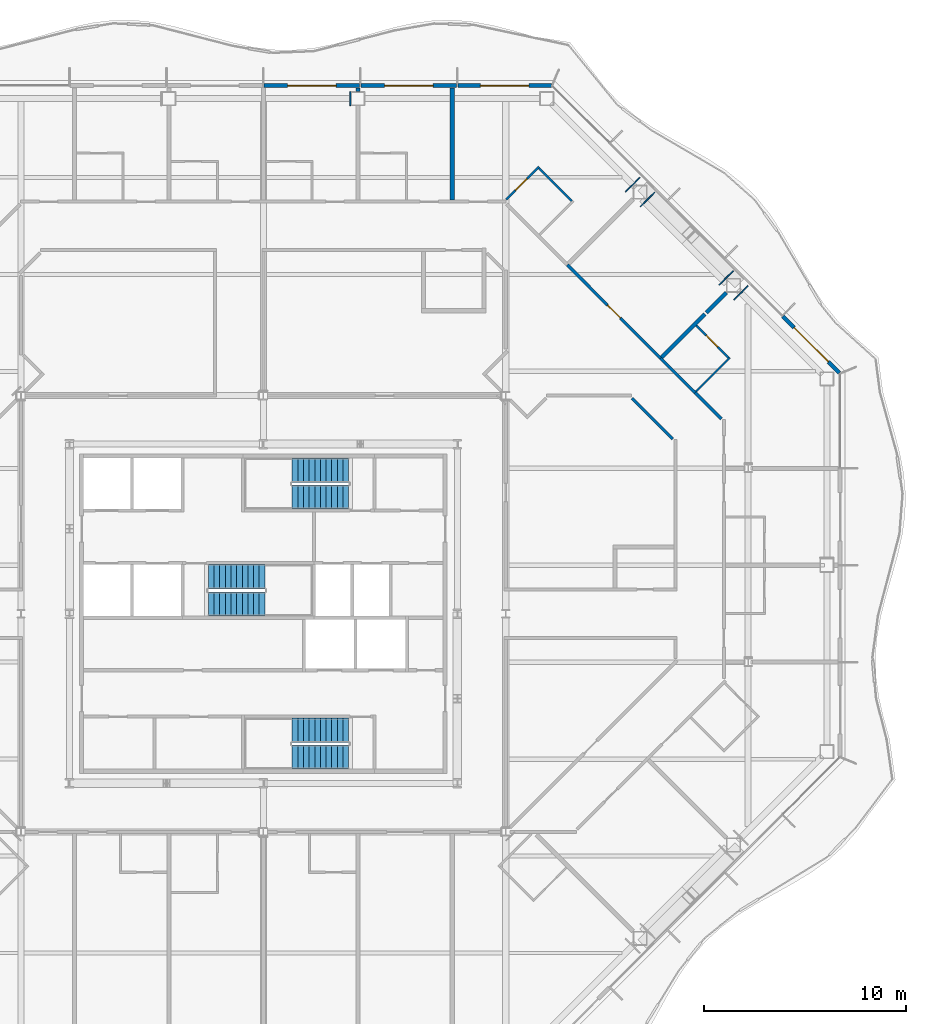
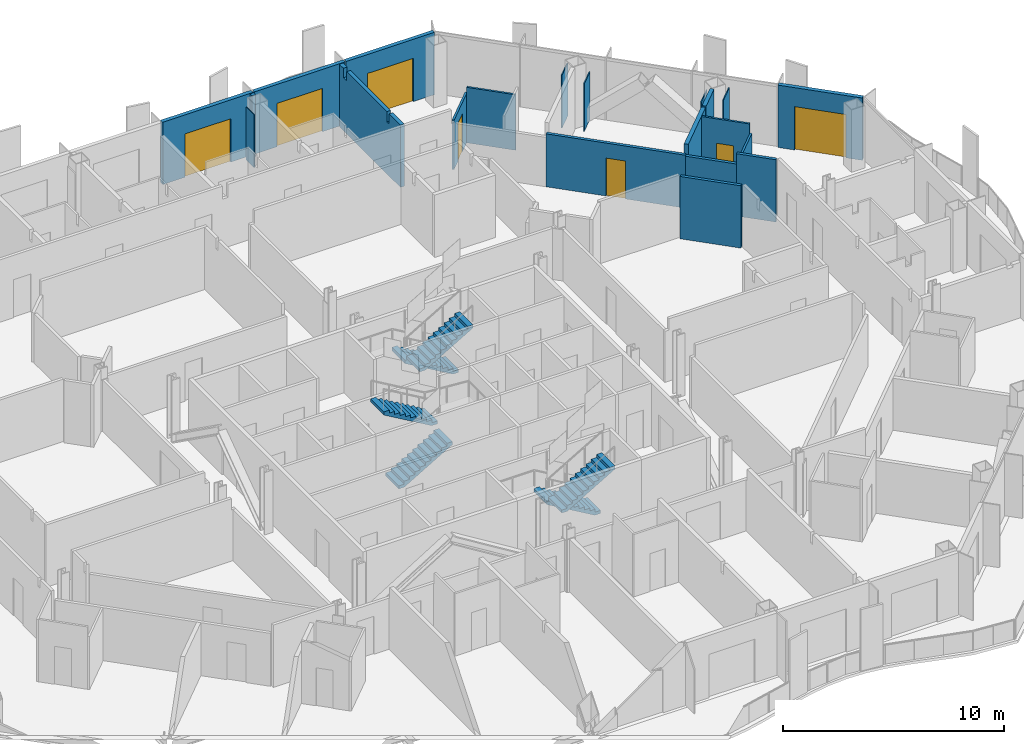
# One storey, part 14 of 21: 21 walls, 7 doors, 6 stair flights, 7 openings, 3 elements without a shape of their own.
"""IFC4 building model written with IfcOpenShell, lengths in metres."""

from ifc_helpers import new_model, si_unit, direction, frame, frame_2d, origin, place, context, subcontext, project, spatial, polyline, rectangle, outline, extrude, material, layer, layer_set, type_object, element, fill, aggregate, save


model = new_model("IFC4")

# Units and contexts
model_context = context("Model", 3, precision=1e-05, world=origin(), true_north=direction((0.0, 1.0)))
body_context = subcontext(model_context, "Body", "Model", "MODEL_VIEW")
ifc_project = project(units=[si_unit("LENGTHUNIT", "METRE"), si_unit("AREAUNIT", "SQUARE_METRE"), si_unit("VOLUMEUNIT", "CUBIC_METRE"), si_unit("PLANEANGLEUNIT", "RADIAN"), si_unit("MASSUNIT", "GRAM", prefix="KILO")], contexts=[model_context])

# Site, building, storey
site_placement = place(None, origin())
site = spatial("IfcSite", under=ifc_project, at=site_placement, CompositionType="ELEMENT")
building_placement = place(site_placement, origin())
building = spatial("IfcBuilding", under=site, at=building_placement, Name="Cairn Pilgrim Tower", CompositionType="ELEMENT")
storey_placement = place(building_placement, frame((0.0, 0.0, 143.39990234375)))
storey = spatial("IfcBuildingStorey", under=building, at=storey_placement, Name="L35", CompositionType="ELEMENT", Elevation=143.39990234375)

# Wall, opening, door
ifc_material_1 = material(Name="Bronze anodised aluminium insulated sandwich panel with mineral wool fill", Category="aluminium")
ifc_layer_1 = layer(ifc_material_1, 0.199951171875)
ifc_layer_set_1 = layer_set([ifc_layer_1], Name="BRONZE INFILL FRAME WALL 200")
wall_type_1 = type_object("IfcWallType", Name="BRONZE INFILL FRAME WALL 200", PredefinedType="NOTDEFINED", material=ifc_layer_set_1)
wall_1_placement = place(storey_placement, frame((35.7216796875, 14.32470703125, 0.0), z_axis=(0.0, 0.0, 1.0), x_axis=(-0.707106781187, 0.707106781187, 0.0)))
wall_1 = element("IfcWall", 1, at=wall_1_placement, inside=storey, type_object=wall_type_1, Name="Bronze infill frame wall IW-NE1", PredefinedType="NOTDEFINED", context=body_context, shape_type="SweptSolid", body=[
    extrude(rectangle(XDim=3.961669921875, YDim=0.199951171875, at=frame_2d((1.98095703125, 0.0))), origin(), (0.0, 0.0, 1.0), 3.4501953125),
])
opening_1_placement = place(wall_1_placement, frame((0.775390625, 0.0, 0.0)))
opening_1 = element("IfcOpeningElement", 2, at=opening_1_placement, cuts=wall_1, Name="Opening 3508B", PredefinedType="OPENING", context=body_context, shape_type="SweptSolid", body=[
    extrude(rectangle(XDim=2.39990234375, YDim=2.39990234375, at=frame_2d((1.199951171875, 1.199951171875))), frame((0.0, 0.10986328125, 0.0), z_axis=(0.0, -1.0, 0.0), x_axis=(1.0, 0.0, 0.0)), (0.0, 0.0, 1.0), 0.219970703125),
])
ifc_material_2 = material(Name="Bronze anodised aluminium frame with tinted low-E glass", Category="aluminium")
door_type_1 = type_object("IfcDoorType", Name="BALCONY SLIDING DOOR 2400x2400", OperationType="DOUBLE_DOOR_SLIDING", PredefinedType="DOOR", material=ifc_material_2)
door_1_placement = place(opening_1_placement, origin())
door_1 = element("IfcDoor", 3, at=door_1_placement, inside=storey, type_object=door_type_1, Name="Balcony sliding door 3508B", OperationType="SINGLE_SWING_LEFT", OverallHeight=2.39990234375, OverallWidth=2.39990234375, PredefinedType="DOOR", context=body_context, shape_type="SweptSolid", body=[
    extrude(rectangle(XDim=2.39990234375, YDim=2.39990234375, at=frame_2d((1.199951171875, 1.199951171875))), frame((0.0, 0.02490234375, 0.0), z_axis=(0.0, -1.0, 0.0), x_axis=(1.0, 0.0, 0.0)), (0.0, 0.0, 1.0), 0.050048828125),
])
fill(opening_1, door_1)

wall_2_placement = place(storey_placement, frame((21.45654296875, 28.550048828125, 0.0), z_axis=(0.0, 0.0, 1.0), x_axis=(-1.0, 0.0, 0.0)))
wall_2 = element("IfcWall", 4, at=wall_2_placement, inside=storey, type_object=wall_type_1, Name="Bronze infill frame wall IW-N1", PredefinedType="NOTDEFINED", context=body_context, shape_type="SweptSolid", body=[
    extrude(rectangle(XDim=4.62646484375, YDim=0.199951171875, at=frame_2d((2.313232421875, 0.0))), origin(), (0.0, 0.0, 1.0), 3.4501953125),
])
opening_2_placement = place(wall_2_placement, frame((1.1083984375, 0.0, 0.0)))
opening_2 = element("IfcOpeningElement", 5, at=opening_2_placement, cuts=wall_2, Name="Opening 3510B", PredefinedType="OPENING", context=body_context, shape_type="SweptSolid", body=[
    extrude(rectangle(XDim=2.39990234375, YDim=2.39990234375, at=frame_2d((1.199951171875, 1.199951171875))), frame((0.0, 0.10986328125, 0.0), z_axis=(0.0, -1.0, 0.0), x_axis=(1.0, 0.0, 0.0)), (0.0, 0.0, 1.0), 0.219970703125),
])
door_2_placement = place(opening_2_placement, origin())
door_2 = element("IfcDoor", 6, at=door_2_placement, inside=storey, type_object=door_type_1, Name="Balcony sliding door 3510B", OperationType="SINGLE_SWING_LEFT", OverallHeight=2.39990234375, OverallWidth=2.39990234375, PredefinedType="DOOR", context=body_context, shape_type="SweptSolid", body=[
    extrude(rectangle(XDim=2.39990234375, YDim=2.39990234375, at=frame_2d((1.199951171875, 1.199951171875))), frame((0.0, 0.02490234375, 0.0), z_axis=(0.0, -1.0, 0.0), x_axis=(1.0, 0.0, 0.0)), (0.0, 0.0, 1.0), 0.050048828125),
])
fill(opening_2, door_2)

wall_3_placement = place(storey_placement, frame((16.77001953125, 28.550048828125, 0.0), z_axis=(0.0, 0.0, 1.0), x_axis=(-1.0, 0.0, 0.0)))
wall_3 = element("IfcWall", 7, at=wall_3_placement, inside=storey, type_object=wall_type_1, Name="Bronze infill frame wall IW-N2", PredefinedType="NOTDEFINED", context=body_context, shape_type="SweptSolid", body=[
    extrude(rectangle(XDim=4.739990234375, YDim=0.199951171875, at=frame_2d((2.3701171875, 0.0))), origin(), (0.0, 0.0, 1.0), 3.4501953125),
])
opening_3_placement = place(wall_3_placement, frame((1.17041015625, 0.0, 0.0)))
opening_3 = element("IfcOpeningElement", 8, at=opening_3_placement, cuts=wall_3, Name="Opening 3511B", PredefinedType="OPENING", context=body_context, shape_type="SweptSolid", body=[
    extrude(rectangle(XDim=2.39990234375, YDim=2.39990234375, at=frame_2d((1.199951171875, 1.199951171875))), frame((0.0, 0.10986328125, 0.0), z_axis=(0.0, -1.0, 0.0), x_axis=(1.0, 0.0, 0.0)), (0.0, 0.0, 1.0), 0.219970703125),
])
door_3_placement = place(opening_3_placement, origin())
door_3 = element("IfcDoor", 9, at=door_3_placement, inside=storey, type_object=door_type_1, Name="Balcony sliding door 3511B", OperationType="SINGLE_SWING_LEFT", OverallHeight=2.39990234375, OverallWidth=2.39990234375, PredefinedType="DOOR", context=body_context, shape_type="SweptSolid", body=[
    extrude(rectangle(XDim=2.39990234375, YDim=2.39990234375, at=frame_2d((1.199951171875, 1.199951171875))), frame((0.0, 0.02490234375, 0.0), z_axis=(0.0, -1.0, 0.0), x_axis=(1.0, 0.0, 0.0)), (0.0, 0.0, 1.0), 0.050048828125),
])
fill(opening_3, door_3)

wall_4_placement = place(storey_placement, frame((11.969970703125, 28.550048828125, 0.0), z_axis=(0.0, 0.0, 1.0), x_axis=(-1.0, 0.0, 0.0)))
wall_4 = element("IfcWall", 10, at=wall_4_placement, inside=storey, type_object=wall_type_1, Name="Bronze infill frame wall IW-N3", PredefinedType="NOTDEFINED", context=body_context, shape_type="SweptSolid", body=[
    extrude(rectangle(XDim=4.739990234375, YDim=0.199951171875, at=frame_2d((2.3701171875, 0.0))), origin(), (0.0, 0.0, 1.0), 3.4501953125),
])
opening_4_placement = place(wall_4_placement, frame((1.17041015625, 0.0, 0.0)))
opening_4 = element("IfcOpeningElement", 11, at=opening_4_placement, cuts=wall_4, Name="Opening 3512B", PredefinedType="OPENING", context=body_context, shape_type="SweptSolid", body=[
    extrude(rectangle(XDim=2.39990234375, YDim=2.39990234375, at=frame_2d((1.199951171875, 1.199951171875))), frame((0.0, 0.10986328125, 0.0), z_axis=(0.0, -1.0, 0.0), x_axis=(1.0, 0.0, 0.0)), (0.0, 0.0, 1.0), 0.219970703125),
])
door_4_placement = place(opening_4_placement, origin())
door_4 = element("IfcDoor", 12, at=door_4_placement, inside=storey, type_object=door_type_1, Name="Balcony sliding door 3512B", OperationType="SINGLE_SWING_LEFT", OverallHeight=2.39990234375, OverallWidth=2.39990234375, PredefinedType="DOOR", context=body_context, shape_type="SweptSolid", body=[
    extrude(rectangle(XDim=2.39990234375, YDim=2.39990234375, at=frame_2d((1.199951171875, 1.199951171875))), frame((0.0, 0.02490234375, 0.0), z_axis=(0.0, -1.0, 0.0), x_axis=(1.0, 0.0, 0.0)), (0.0, 0.0, 1.0), 0.050048828125),
])
fill(opening_4, door_4)

# Wall
ifc_material_3 = material(Name="Gypsum partition")
ifc_layer_2 = layer(ifc_material_3, 0.10009765625)
ifc_layer_set_2 = layer_set([ifc_layer_2], Name="PARTITION 100 DRYWALL")
wall_type_2 = type_object("IfcWallType", Name="PARTITION 100 DRYWALL", PredefinedType="PARTITIONING", material=ifc_layer_set_2)
wall_5_placement = place(storey_placement, frame((28.6201171875, 13.40087890625, 0.0), z_axis=(0.0, 0.0, 1.0), x_axis=(0.707055379538, 0.707158179099, 0.0)))
element("IfcWall", 13, at=wall_5_placement, inside=storey, type_object=wall_type_2, Name="PARTITION W086", PredefinedType="PARTITIONING", context=body_context, shape_type="SweptSolid", body=[
    extrude(rectangle(XDim=2.375, YDim=0.10009765625, at=frame_2d((1.1875, 0.0))), origin(), (0.0, 0.0, 1.0), 2.880126953125),
])

# Wall, opening, door
wall_6_placement = place(storey_placement, frame((30.228515625, 15.080322265625, 0.0), z_axis=(0.0, 0.0, 1.0), x_axis=(-0.707052524, 0.70716103421, 0.0)))
wall_6 = element("IfcWall", 14, at=wall_6_placement, inside=storey, type_object=wall_type_2, Name="PARTITION W091", PredefinedType="PARTITIONING", context=body_context, shape_type="SweptSolid", body=[
    extrude(rectangle(XDim=2.25, YDim=0.10009765625, at=frame_2d((1.125, 0.0))), origin(), (0.0, 0.0, 1.0), 3.4501953125),
])
opening_5_placement = place(wall_6_placement, frame((0.75, 0.0, 0.0)))
opening_5 = element("IfcOpeningElement", 15, at=opening_5_placement, cuts=wall_6, Name="Opening 3508A", PredefinedType="OPENING", context=body_context, shape_type="SweptSolid", body=[
    extrude(rectangle(XDim=0.800048828125, YDim=2.10009765625, at=frame_2d((0.39990234375, 1.050048828125))), frame((0.0, 0.06005859375, 0.0), z_axis=(0.0, -1.0, 0.0), x_axis=(1.0, 0.0, 0.0)), (0.0, 0.0, 1.0), 0.1201171875),
])
ifc_material_4 = material(Name="Timber door leaf", Category="wood")
door_type_2 = type_object("IfcDoorType", Name="WC DOOR 800x2100", OperationType="NOTDEFINED", PredefinedType="DOOR", material=ifc_material_4)
door_5_placement = place(opening_5_placement, frame((0.800048828125, 0.0, 0.0), z_axis=(0.0, 0.0, 1.0), x_axis=(-1.0, 0.0, 0.0)))
door_5 = element("IfcDoor", 16, at=door_5_placement, inside=storey, type_object=door_type_2, Name="DOOR 3508A", OperationType="SINGLE_SWING_LEFT", OverallHeight=2.10009765625, OverallWidth=0.800048828125, PredefinedType="DOOR", context=body_context, shape_type="SweptSolid", body=[
    extrude(rectangle(XDim=0.800048828125, YDim=2.10009765625, at=frame_2d((0.39990234375, 1.050048828125))), frame((0.0, 0.02490234375, 0.0), z_axis=(0.0, -1.0, 0.0), x_axis=(1.0, 0.0, 0.0)), (0.0, 0.0, 1.0), 0.050048828125),
])
fill(opening_5, door_5)

# Wall
wall_7_placement = place(storey_placement, frame((22.4736328125, 22.83544921875, 0.0), z_axis=(0.0, 0.0, 1.0), x_axis=(-0.707106781187, 0.707106781187, 0.0)))
element("IfcWall", 17, at=wall_7_placement, inside=storey, type_object=wall_type_2, Name="PARTITION W115", PredefinedType="PARTITIONING", context=body_context, shape_type="SweptSolid", body=[
    extrude(rectangle(XDim=2.2998046875, YDim=0.10009765625, at=frame_2d((1.14990234375, 0.0))), origin(), (0.0, 0.0, 1.0), 3.070068359375),
])

# Wall, opening, door
wall_8_placement = place(storey_placement, frame((19.225341796875, 22.910400390625, 0.0), z_axis=(0.0, 0.0, 1.0), x_axis=(0.707106781187, 0.707106781187, 0.0)))
wall_8 = element("IfcWall", 18, at=wall_8_placement, inside=storey, type_object=wall_type_2, Name="PARTITION W125", PredefinedType="PARTITIONING", context=body_context, shape_type="SweptSolid", body=[
    extrude(rectangle(XDim=2.2939453125, YDim=0.10009765625, at=frame_2d((1.14697265625, 0.0))), origin(), (0.0, 0.0, 1.0), 2.72998046875),
])
opening_6_placement = place(wall_8_placement, frame((0.643798828125, 0.0, 0.0)))
opening_6 = element("IfcOpeningElement", 19, at=opening_6_placement, cuts=wall_8, Name="Opening 3510A", PredefinedType="OPENING", context=body_context, shape_type="SweptSolid", body=[
    extrude(rectangle(XDim=0.800048828125, YDim=2.10009765625, at=frame_2d((0.39990234375, 1.050048828125))), frame((0.0, 0.06005859375, 0.0), z_axis=(0.0, -1.0, 0.0), x_axis=(1.0, 0.0, 0.0)), (0.0, 0.0, 1.0), 0.1201171875),
])
door_6_placement = place(opening_6_placement, origin())
door_6 = element("IfcDoor", 20, at=door_6_placement, inside=storey, type_object=door_type_2, Name="DOOR 3510A", OperationType="SINGLE_SWING_RIGHT", OverallHeight=2.10009765625, OverallWidth=0.800048828125, PredefinedType="DOOR", context=body_context, shape_type="SweptSolid", body=[
    extrude(rectangle(XDim=0.800048828125, YDim=2.10009765625, at=frame_2d((0.39990234375, 1.050048828125))), frame((0.0, 0.02490234375, 0.0), z_axis=(0.0, -1.0, 0.0), x_axis=(1.0, 0.0, 0.0)), (0.0, 0.0, 1.0), 0.050048828125),
])
fill(opening_6, door_6)

# Walls
ifc_layer_3 = layer(ifc_material_3, 0.14990234375)
ifc_layer_set_3 = layer_set([ifc_layer_3], Name="PARTITION 150 DRYWALL EI 60")
wall_type_3 = type_object("IfcWallType", Name="PARTITION 150 DRYWALL EI 60", PredefinedType="PARTITIONING", material=ifc_layer_set_3)
wall_9_placement = place(storey_placement, frame((27.471923828125, 11.049072265625, 0.0), z_axis=(0.0, 0.0, 1.0), x_axis=(-0.707106781187, 0.707106781187, 0.0)))
element("IfcWall", 21, at=wall_9_placement, inside=storey, type_object=wall_type_3, Name="PARTITION W070", PredefinedType="PARTITIONING", context=body_context, shape_type="SweptSolid", body=[
    extrude(rectangle(XDim=2.86083984375, YDim=0.14990234375, at=frame_2d((1.430419921875, 0.0))), origin(), (0.0, 0.0, 1.0), 3.4501953125),
])
wall_10_placement = place(storey_placement, frame((29.8720703125, 12.04296875, 0.0), z_axis=(0.0, 0.0, 1.0), x_axis=(-0.707172918471, 0.707040637716, 0.0)))
element("IfcWall", 22, at=wall_10_placement, inside=storey, type_object=wall_type_3, Name="PARTITION W072", PredefinedType="PARTITIONING", context=body_context, shape_type="SweptSolid", body=[
    extrude(rectangle(XDim=1.845703125, YDim=0.14990234375, at=frame_2d((0.9228515625, 0.0))), origin(), (0.0, 0.0, 1.0), 3.4501953125),
])
wall_11_placement = place(storey_placement, frame((28.56689453125, 13.347900390625, 0.0), z_axis=(0.0, 0.0, 1.0), x_axis=(-0.707310148094, 0.706903355773, 0.0)))
element("IfcWall", 23, at=wall_11_placement, inside=storey, type_object=wall_type_3, Name="PARTITION W082", PredefinedType="PARTITIONING", context=body_context, shape_type="SweptSolid", body=[
    extrude(rectangle(XDim=2.400634765625, YDim=0.14990234375, at=frame_2d((1.2001953125, 0.0))), origin(), (0.0, 0.0, 1.0), 2.880126953125),
])

# Wall, opening, door
wall_12_placement = place(storey_placement, frame((26.868896484375, 15.044921875, 0.0), z_axis=(0.0, 0.0, 1.0), x_axis=(-0.707013447311, 0.707200102744, 0.0)))
wall_12 = element("IfcWall", 24, at=wall_12_placement, inside=storey, type_object=wall_type_3, Name="PARTITION W089", PredefinedType="PARTITIONING", context=body_context, shape_type="SweptSolid", body=[
    extrude(rectangle(XDim=6.539794921875, YDim=0.14990234375, at=frame_2d((3.27001953125, 0.0))), origin(), (0.0, 0.0, 1.0), 2.93017578125),
])
opening_7_placement = place(wall_12_placement, frame((2.820068359375, 0.0, 0.0)))
opening_7 = element("IfcOpeningElement", 25, at=opening_7_placement, cuts=wall_12, Name="Opening 3509", PredefinedType="OPENING", context=body_context, shape_type="SweptSolid", body=[
    extrude(rectangle(XDim=0.89990234375, YDim=2.10009765625, at=frame_2d((0.449951171875, 1.050048828125))), frame((0.0, 0.0849609375, 0.0), z_axis=(0.0, -1.0, 0.0), x_axis=(1.0, 0.0, 0.0)), (0.0, 0.0, 1.0), 0.169921875),
])
door_type_3 = type_object("IfcDoorType", Name="SERVICE DOOR 900x2100 FD30S", OperationType="NOTDEFINED", PredefinedType="DOOR", material=ifc_material_4)
door_7_placement = place(opening_7_placement, frame((0.89990234375, 0.0, 0.0), z_axis=(0.0, 0.0, 1.0), x_axis=(-1.0, 0.0, 0.0)))
door_7 = element("IfcDoor", 26, at=door_7_placement, inside=storey, type_object=door_type_3, Name="DOOR 3509", OperationType="SINGLE_SWING_LEFT", OverallHeight=2.10009765625, OverallWidth=0.89990234375, PredefinedType="DOOR", context=body_context, shape_type="SweptSolid", body=[
    extrude(rectangle(XDim=0.89990234375, YDim=2.10009765625, at=frame_2d((0.449951171875, 1.050048828125))), frame((0.0, 0.02490234375, 0.0), z_axis=(0.0, -1.0, 0.0), x_axis=(1.0, 0.0, 0.0)), (0.0, 0.0, 1.0), 0.050048828125),
])
fill(opening_7, door_7)

# Walls
ifc_layer_4 = layer(ifc_material_3, 0.050048828125)
ifc_layer_set_4 = layer_set([ifc_layer_4], Name="PARTITION 50 DRYWALL EI 60")
wall_type_4 = type_object("IfcWallType", Name="PARTITION 50 DRYWALL EI 60", PredefinedType="PARTITIONING", material=ifc_layer_set_4)
wall_13_placement = place(storey_placement, frame((29.758056640625, 18.6689453125, 0.0), z_axis=(0.0, 0.0, 1.0), x_axis=(0.706983473703, 0.707230067171, 0.0)))
element("IfcWall", 27, at=wall_13_placement, inside=storey, type_object=wall_type_4, Name="COLUMN CASING WC31", PredefinedType="PARTITIONING", context=body_context, shape_type="SweptSolid", body=[
    extrude(rectangle(XDim=0.989990234375, YDim=0.050048828125, at=frame_2d((0.4951171875, 0.0))), origin(), (0.0, 0.0, 1.0), 2.630126953125),
])
for number, where, z_axis, x_axis, name in (
    (28, (30.493408203125, 17.933837890625, 0.0), (0.0, 0.0, 1.0), (0.706983473703, 0.707230067171, 0.0), "COLUMN CASING WC32"),
    (29, (25.1337890625, 23.29345703125, 0.0), (0.0, 0.0, 1.0), (0.707230067171, 0.706983473703, 0.0), "COLUMN CASING WC33"),
):
    element("IfcWall", number, at=place(storey_placement, frame(where, z_axis=z_axis, x_axis=x_axis)), inside=storey, type_object=wall_type_4, Name=name, PredefinedType="PARTITIONING", context=body_context, shape_type="SweptSolid", body=[
        extrude(rectangle(XDim=0.989990234375, YDim=0.050048828125, at=frame_2d((0.4951171875, 0.0))), origin(), (0.0, 0.0, 1.0), 2.93017578125),
    ])
wall_14_placement = place(storey_placement, frame((25.869140625, 22.55810546875, 0.0), z_axis=(0.0, 0.0, 1.0), x_axis=(0.707230110177, 0.706983430682, 0.0)))
element("IfcWall", 30, at=wall_14_placement, inside=storey, type_object=wall_type_4, Name="COLUMN CASING WC34", PredefinedType="PARTITIONING", context=body_context, shape_type="SweptSolid", body=[
    extrude(rectangle(XDim=0.98974609375, YDim=0.050048828125, at=frame_2d((0.494873046875, 0.0))), origin(), (0.0, 0.0, 1.0), 2.630126953125),
])
wall_15_placement = place(storey_placement, frame((11.500732421875, 27.550048828125, 0.0), z_axis=(0.0, 0.0, 1.0), x_axis=(0.0, 1.0, 0.0)))
element("IfcWall", 31, at=wall_15_placement, inside=storey, type_object=wall_type_4, Name="COLUMN CASING WC38", PredefinedType="PARTITIONING", context=body_context, shape_type="SweptSolid", body=[
    extrude(rectangle(XDim=0.699951171875, YDim=0.050048828125, at=frame_2d((0.35009765625, 0.0))), origin(), (0.0, 0.0, 1.0), 2.93017578125),
])
ifc_layer_5 = layer(ifc_material_3, 0.199951171875)
ifc_layer_set_5 = layer_set([ifc_layer_5], Name="SHAFT WALL 200 GYPSUM EI 60")
wall_type_5 = type_object("IfcWallType", Name="SHAFT WALL 200 GYPSUM EI 60", PredefinedType="PARTITIONING", material=ifc_layer_set_5)
wall_16_placement = place(storey_placement, frame((26.922119140625, 15.097900390625, 0.0), z_axis=(0.0, 0.0, 1.0), x_axis=(0.707268147401, 0.706945378138, 0.0)))
element("IfcWall", 32, at=wall_16_placement, inside=storey, type_object=wall_type_5, Name="PARTITION W090", PredefinedType="PARTITIONING", context=body_context, shape_type="SweptSolid", body=[
    extrude(rectangle(XDim=3.025634765625, YDim=0.199951171875, at=frame_2d((1.5126953125, 0.0))), origin(), (0.0, 0.0, 1.0), 3.4501953125),
])
wall_17_placement = place(storey_placement, frame((29.132568359375, 17.307861328125, 0.0), z_axis=(0.0, 0.0, 1.0), x_axis=(0.70693298083, 0.707280538835, 0.0)))
element("IfcWall", 33, at=wall_17_placement, inside=storey, type_object=wall_type_5, Name="PARTITION W096", PredefinedType="PARTITIONING", context=body_context, shape_type="SweptSolid", body=[
    extrude(rectangle(XDim=1.40478515625, YDim=0.199951171875, at=frame_2d((0.702392578125, 0.0))), origin(), (0.0, 0.0, 1.0), 3.4501953125),
])
wall_18_placement = place(storey_placement, frame((16.552001953125, 22.875, 0.0), z_axis=(0.0, 0.0, 1.0), x_axis=(0.0, 1.0, 0.0)))
element("IfcWall", 34, at=wall_18_placement, inside=storey, type_object=wall_type_5, Name="PARTITION W124", PredefinedType="PARTITIONING", context=body_context, shape_type="SweptSolid", body=[
    extrude(outline(polyline([(0.0, 0.0), (5.544921875, 0.0), (5.544921875, 3.4501953125), (5.175048828125, 3.4501953125), (5.173095703125, 2.93017578125), (4.875, 2.93017578125), (4.873046875, 3.4501953125), (1.22998046875, 3.4501953125), (1.22802734375, 2.880126953125), (1.02001953125, 2.880126953125), (1.01806640625, 3.4501953125), (0.0, 3.4501953125), (0.0, 0.0)])), frame((0.0, 0.10009765625, 0.0), z_axis=(0.0, -1.0, 0.0), x_axis=(1.0, 0.0, 0.0)), (0.0, 0.0, 1.0), 0.199951171875),
])
wall_19_placement = place(storey_placement, frame((11.8759765625, 28.25, 0.0), z_axis=(0.0, 0.0, 1.0), x_axis=(0.0, 1.0, 0.0)))
element("IfcWall", 35, at=wall_19_placement, inside=storey, type_object=wall_type_5, Name="PARTITION W131", PredefinedType="PARTITIONING", context=body_context, shape_type="SweptSolid", body=[
    extrude(rectangle(XDim=0.169921875, YDim=0.199951171875, at=frame_2d((0.0849609375, 0.0))), origin(), (0.0, 0.0, 1.0), 3.4501953125),
])

# Stair, stair flights
ifc_material_5 = material(Name="Concrete C32/40", Category="concrete")
stair_type = type_object("IfcStairType", Name="EXIT STAIR 1200", PredefinedType="HALF_TURN_STAIR", material=ifc_material_5)
stair_1_placement = place(storey_placement, origin())
stair_1 = element("IfcStair", 36, at=stair_1_placement, inside=storey, type_object=stair_type, Name="L35 Exit Stair A", PredefinedType="HALF_TURN_STAIR")
stair_flight_type = type_object("IfcStairFlightType", Name="STAIR FLIGHT 1200", PredefinedType="STRAIGHT", material=ifc_material_5)
stair_flight_1_placement = place(storey_placement, frame((11.425048828125, -3.375, 0.0), z_axis=(0.0, 0.0, 1.0), x_axis=(-1.0, 0.0, 0.0)))
stair_flight_1 = element("IfcStairFlight", 37, at=stair_flight_1_placement, type_object=stair_flight_type, Name="ST-A flight 1", NumberOfRisers=11, NumberOfTreads=10, PredefinedType="STRAIGHT", RiserHeight=0.163636364, TreadLength=0.28, context=body_context, shape_type="SweptSolid", body=[
    extrude(outline(polyline([(0.0, 0.0), (0.0, 0.16357421875), (0.280029296875, 0.16357421875), (0.280029296875, 0.327392578125), (0.56005859375, 0.327392578125), (0.56005859375, 0.490966796875), (0.840087890625, 0.490966796875), (0.840087890625, 0.654541015625), (1.1201171875, 0.654541015625), (1.1201171875, 0.818115234375), (1.39990234375, 0.818115234375), (1.39990234375, 0.98193359375), (1.679931640625, 0.98193359375), (1.679931640625, 1.1455078125), (1.9599609375, 1.1455078125), (1.9599609375, 1.30908203125), (2.239990234375, 1.30908203125), (2.239990234375, 1.47265625), (2.52001953125, 1.47265625), (2.52001953125, 1.636474609375), (2.800048828125, 1.636474609375), (2.800048828125, 1.800048828125), (2.800048828125, 1.462646484375), (0.297119140625, 0.0), (0.0, 0.0)])), frame((0.0, 0.60009765625, 0.0), z_axis=(0.0, -1.0, 0.0), x_axis=(1.0, 0.0, 0.0)), (0.0, 0.0, 1.0), 1.199951171875),
])
stair_flight_2_placement = place(storey_placement, frame((8.625, -4.699951171875, 1.800048828125), z_axis=(0.0, 0.0, 1.0), x_axis=(1.0, 0.0, 0.0)))
stair_flight_2 = element("IfcStairFlight", 38, at=stair_flight_2_placement, type_object=stair_flight_type, Name="ST-A flight 2", NumberOfRisers=11, NumberOfTreads=10, PredefinedType="STRAIGHT", RiserHeight=0.163636364, TreadLength=0.28, context=body_context, shape_type="SweptSolid", body=[
    extrude(outline(polyline([(0.0, 0.0), (0.0, 0.16357421875), (0.280029296875, 0.16357421875), (0.280029296875, 0.327392578125), (0.56005859375, 0.327392578125), (0.56005859375, 0.490966796875), (0.840087890625, 0.490966796875), (0.840087890625, 0.654541015625), (1.1201171875, 0.654541015625), (1.1201171875, 0.818115234375), (1.39990234375, 0.818115234375), (1.39990234375, 0.98193359375), (1.679931640625, 0.98193359375), (1.679931640625, 1.1455078125), (1.9599609375, 1.1455078125), (1.9599609375, 1.30908203125), (2.239990234375, 1.30908203125), (2.239990234375, 1.47265625), (2.52001953125, 1.47265625), (2.52001953125, 1.636474609375), (2.800048828125, 1.636474609375), (2.800048828125, 1.800048828125), (2.800048828125, 1.462646484375), (0.297119140625, 0.0), (0.0, 0.0)])), frame((0.0, 0.60009765625, 0.0), z_axis=(0.0, -1.0, 0.0), x_axis=(1.0, 0.0, 0.0)), (0.0, 0.0, 1.0), 1.199951171875),
])
aggregate(stair_1, [stair_flight_1, stair_flight_2])

stair_2_placement = place(storey_placement, origin())
stair_2 = element("IfcStair", 39, at=stair_2_placement, inside=storey, type_object=stair_type, Name="L35 Exit Stair B", PredefinedType="HALF_TURN_STAIR")
stair_flight_3_placement = place(storey_placement, frame((4.47509765625, 2.875, 0.0), z_axis=(0.0, 0.0, 1.0), x_axis=(1.0, 0.0, 0.0)))
stair_flight_3 = element("IfcStairFlight", 40, at=stair_flight_3_placement, type_object=stair_flight_type, Name="ST-B flight 1", NumberOfRisers=11, NumberOfTreads=10, PredefinedType="STRAIGHT", RiserHeight=0.163636364, TreadLength=0.28, context=body_context, shape_type="SweptSolid", body=[
    extrude(outline(polyline([(0.0, 0.0), (0.0, 0.16357421875), (0.280029296875, 0.16357421875), (0.280029296875, 0.327392578125), (0.56005859375, 0.327392578125), (0.56005859375, 0.490966796875), (0.840087890625, 0.490966796875), (0.840087890625, 0.654541015625), (1.1201171875, 0.654541015625), (1.1201171875, 0.818115234375), (1.39990234375, 0.818115234375), (1.39990234375, 0.98193359375), (1.679931640625, 0.98193359375), (1.679931640625, 1.1455078125), (1.9599609375, 1.1455078125), (1.9599609375, 1.30908203125), (2.239990234375, 1.30908203125), (2.239990234375, 1.47265625), (2.52001953125, 1.47265625), (2.52001953125, 1.636474609375), (2.800048828125, 1.636474609375), (2.800048828125, 1.800048828125), (2.800048828125, 1.462646484375), (0.297119140625, 0.0), (0.0, 0.0)])), frame((0.0, 0.60009765625, 0.0), z_axis=(0.0, -1.0, 0.0), x_axis=(1.0, 0.0, 0.0)), (0.0, 0.0, 1.0), 1.199951171875),
])
stair_flight_4_placement = place(storey_placement, frame((7.27490234375, 4.22509765625, 1.800048828125), z_axis=(0.0, 0.0, 1.0), x_axis=(-1.0, 0.0, 0.0)))
stair_flight_4 = element("IfcStairFlight", 41, at=stair_flight_4_placement, type_object=stair_flight_type, Name="ST-B flight 2", NumberOfRisers=11, NumberOfTreads=10, PredefinedType="STRAIGHT", RiserHeight=0.163636364, TreadLength=0.28, context=body_context, shape_type="SweptSolid", body=[
    extrude(outline(polyline([(0.0, 0.0), (0.0, 0.16357421875), (0.280029296875, 0.16357421875), (0.280029296875, 0.327392578125), (0.56005859375, 0.327392578125), (0.56005859375, 0.490966796875), (0.840087890625, 0.490966796875), (0.840087890625, 0.654541015625), (1.1201171875, 0.654541015625), (1.1201171875, 0.818115234375), (1.39990234375, 0.818115234375), (1.39990234375, 0.98193359375), (1.679931640625, 0.98193359375), (1.679931640625, 1.1455078125), (1.9599609375, 1.1455078125), (1.9599609375, 1.30908203125), (2.239990234375, 1.30908203125), (2.239990234375, 1.47265625), (2.52001953125, 1.47265625), (2.52001953125, 1.636474609375), (2.800048828125, 1.636474609375), (2.800048828125, 1.800048828125), (2.800048828125, 1.462646484375), (0.297119140625, 0.0), (0.0, 0.0)])), frame((0.0, 0.60009765625, 0.0), z_axis=(0.0, -1.0, 0.0), x_axis=(1.0, 0.0, 0.0)), (0.0, 0.0, 1.0), 1.199951171875),
])
aggregate(stair_2, [stair_flight_3, stair_flight_4])

stair_3_placement = place(storey_placement, origin())
stair_3 = element("IfcStair", 42, at=stair_3_placement, inside=storey, type_object=stair_type, Name="L35 Exit Stair C", PredefinedType="HALF_TURN_STAIR")
stair_flight_5_placement = place(storey_placement, frame((11.425048828125, 9.5, 0.0), z_axis=(0.0, 0.0, 1.0), x_axis=(-1.0, 0.0, 0.0)))
stair_flight_5 = element("IfcStairFlight", 43, at=stair_flight_5_placement, type_object=stair_flight_type, Name="ST-C flight 1", NumberOfRisers=11, NumberOfTreads=10, PredefinedType="STRAIGHT", RiserHeight=0.163636364, TreadLength=0.28, context=body_context, shape_type="SweptSolid", body=[
    extrude(outline(polyline([(0.0, 0.0), (0.0, 0.16357421875), (0.280029296875, 0.16357421875), (0.280029296875, 0.327392578125), (0.56005859375, 0.327392578125), (0.56005859375, 0.490966796875), (0.840087890625, 0.490966796875), (0.840087890625, 0.654541015625), (1.1201171875, 0.654541015625), (1.1201171875, 0.818115234375), (1.39990234375, 0.818115234375), (1.39990234375, 0.98193359375), (1.679931640625, 0.98193359375), (1.679931640625, 1.1455078125), (1.9599609375, 1.1455078125), (1.9599609375, 1.30908203125), (2.239990234375, 1.30908203125), (2.239990234375, 1.47265625), (2.52001953125, 1.47265625), (2.52001953125, 1.636474609375), (2.800048828125, 1.636474609375), (2.800048828125, 1.800048828125), (2.800048828125, 1.462646484375), (0.297119140625, 0.0), (0.0, 0.0)])), frame((0.0, 0.60009765625, 0.0), z_axis=(0.0, -1.0, 0.0), x_axis=(1.0, 0.0, 0.0)), (0.0, 0.0, 1.0), 1.199951171875),
])
stair_flight_6_placement = place(storey_placement, frame((8.625, 8.175048828125, 1.800048828125), z_axis=(0.0, 0.0, 1.0), x_axis=(1.0, 0.0, 0.0)))
stair_flight_6 = element("IfcStairFlight", 44, at=stair_flight_6_placement, type_object=stair_flight_type, Name="ST-C flight 2", NumberOfRisers=11, NumberOfTreads=10, PredefinedType="STRAIGHT", RiserHeight=0.163636364, TreadLength=0.28, context=body_context, shape_type="SweptSolid", body=[
    extrude(outline(polyline([(0.0, 0.0), (0.0, 0.16357421875), (0.280029296875, 0.16357421875), (0.280029296875, 0.327392578125), (0.56005859375, 0.327392578125), (0.56005859375, 0.490966796875), (0.840087890625, 0.490966796875), (0.840087890625, 0.654541015625), (1.1201171875, 0.654541015625), (1.1201171875, 0.818115234375), (1.39990234375, 0.818115234375), (1.39990234375, 0.98193359375), (1.679931640625, 0.98193359375), (1.679931640625, 1.1455078125), (1.9599609375, 1.1455078125), (1.9599609375, 1.30908203125), (2.239990234375, 1.30908203125), (2.239990234375, 1.47265625), (2.52001953125, 1.47265625), (2.52001953125, 1.636474609375), (2.800048828125, 1.636474609375), (2.800048828125, 1.800048828125), (2.800048828125, 1.462646484375), (0.297119140625, 0.0), (0.0, 0.0)])), frame((0.0, 0.60009765625, 0.0), z_axis=(0.0, -1.0, 0.0), x_axis=(1.0, 0.0, 0.0)), (0.0, 0.0, 1.0), 1.199951171875),
])
aggregate(stair_3, [stair_flight_5, stair_flight_6])

save(model, "model.ifc")
